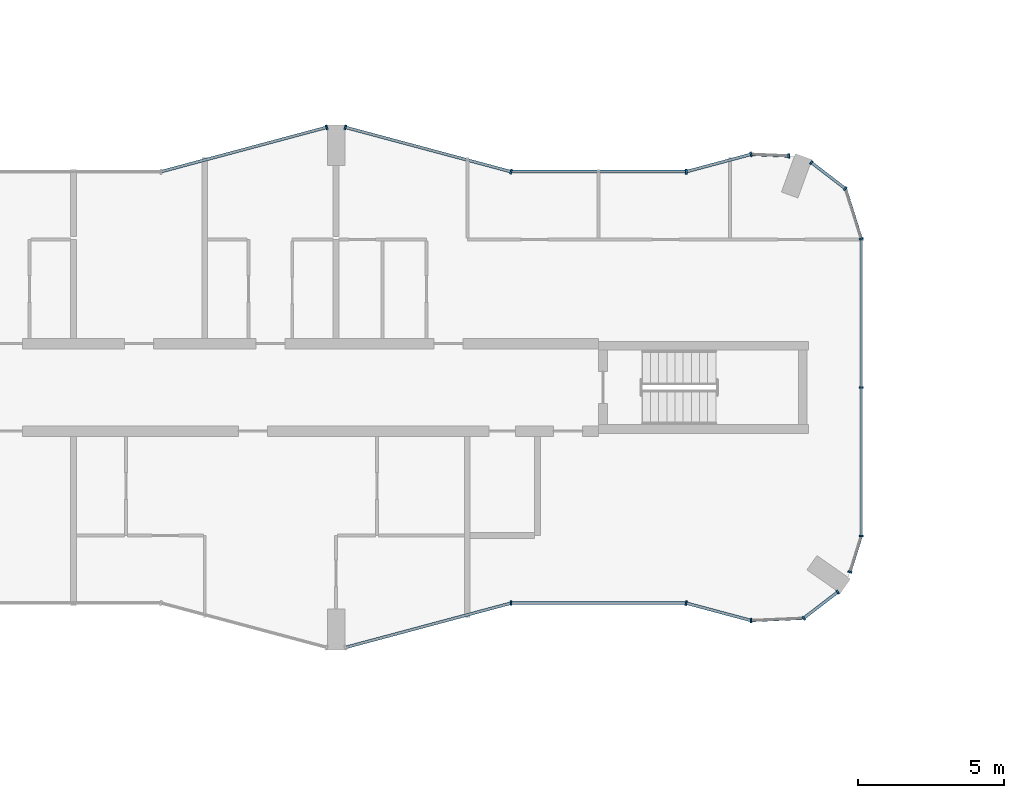
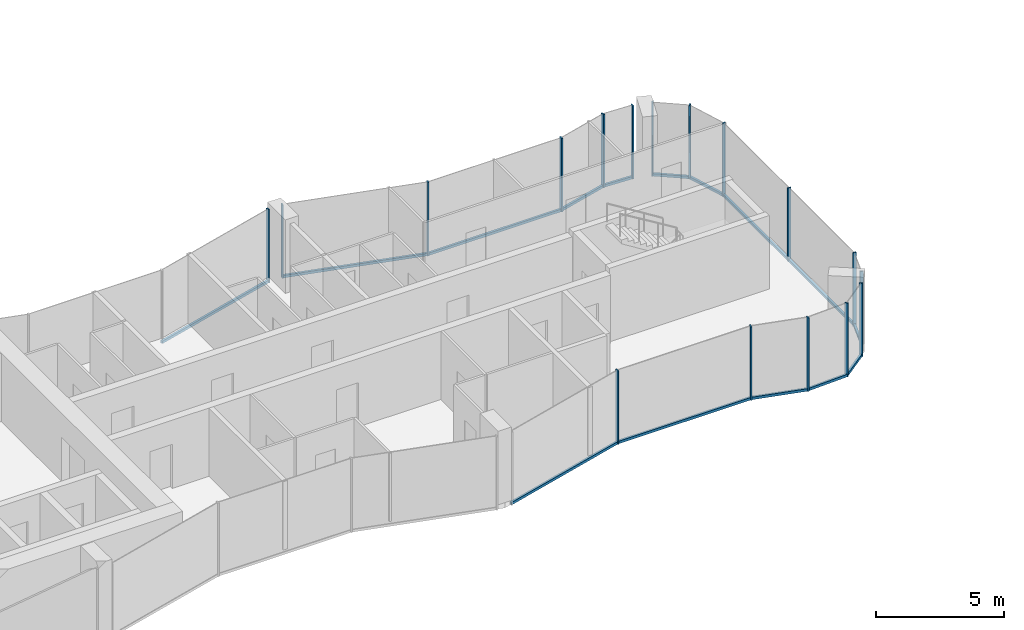
# One storey, part 5 of 24: 31 members, 14 elements without a shape of their own.
"""IFC4 building model written with IfcOpenShell, lengths in metres."""

import ifcopenshell
import ifcopenshell.guid

model = None  # the IFC model being written
_history = None  # IfcOwnerHistory: only IFC2X3 demands one
_inside = {}  # id of a spatial element -> (the spatial element, [elements in it])
_under = {}  # id of a project, library or spatial element -> (it, [spatial elements below it])
_declared = {}  # id of a project -> (the project, [libraries it declares])
_typed = {}  # id of a type object -> (the type object, [elements of that type])
_made_of = {}  # id of a material, layer set ... -> (it, [elements and type objects made of it])


def new_model(schema):
    """Start an empty IFC model of exactly this schema.

    Asked for "IFC4X3", IfcOpenShell would pick the latest addendum, in which some entities
    have other attributes; the version numbers below select the first issue.
    IFC2X3 requires an IfcOwnerHistory on every rooted entity: one is made here for all.
    """
    global model, _history
    if schema == "IFC4X3":
        model = ifcopenshell.file(schema_version=(4, 3, 0, 0))
    else:
        model = ifcopenshell.file(schema=schema)
    _inside.clear()
    _under.clear()
    _declared.clear()
    _typed.clear()
    _made_of.clear()
    _history = None
    if model.schema == "IFC2X3":
        org = make("IfcOrganization", Name="unknown")
        user = make(
            "IfcPersonAndOrganization",
            ThePerson=make("IfcPerson", FamilyName="unknown"),
            TheOrganization=org,
        )
        app = make(
            "IfcApplication",
            ApplicationDeveloper=org,
            Version="unknown",
            ApplicationFullName="unknown",
            ApplicationIdentifier="unknown",
        )
        _history = make(
            "IfcOwnerHistory",
            OwningUser=user,
            OwningApplication=app,
            ChangeAction="ADDED",
            CreationDate=0,
        )
    return model


def make(cls, **values):
    """One entity of the class cls with the attributes given. An attribute that is None is left unset."""
    return model.create_entity(
        cls, **{name: value for name, value in values.items() if value is not None}
    )


def rooted(cls, **values):
    """An entity with a GlobalId (a new one), such as an element, a storey or a relation."""
    return make(cls, GlobalId=ifcopenshell.guid.new(), OwnerHistory=_history, **values)


def si_unit(unit_type, name, prefix=None):
    """IfcSIUnit, for example si_unit("LENGTHUNIT", "METRE", prefix="MILLI")."""
    return make("IfcSIUnit", UnitType=unit_type, Prefix=prefix, Name=name)


def assignment(units):
    """IfcUnitAssignment: the units of a project."""
    return None if units is None else make("IfcUnitAssignment", Units=units)


def point(xyz):
    """IfcCartesianPoint."""
    return None if xyz is None else make("IfcCartesianPoint", Coordinates=xyz)


def direction(xyz):
    """IfcDirection."""
    return None if xyz is None else make("IfcDirection", DirectionRatios=xyz)


def frame(location, z_axis=None, x_axis=None):
    """IfcAxis2Placement3D, a coordinate frame: its origin and axes. An axis left out is left unset."""
    return make(
        "IfcAxis2Placement3D",
        Location=point(location),
        Axis=direction(z_axis),
        RefDirection=direction(x_axis),
    )


def frame_2d(location, x_axis=None):
    """IfcAxis2Placement2D, a coordinate frame in the plane: its origin and x axis."""
    return make(
        "IfcAxis2Placement2D", Location=point(location), RefDirection=direction(x_axis)
    )


def origin():
    """The frame at (0, 0, 0) with its axes left unset."""
    return frame((0.0, 0.0, 0.0))


def origin_2d():
    """The frame at (0, 0) in the plane with its x axis left unset."""
    return frame_2d((0.0, 0.0))


def place(relative_to, where):
    """IfcLocalPlacement: puts the frame where relative to a parent placement (None: the world)."""
    return make(
        "IfcLocalPlacement", PlacementRelTo=relative_to, RelativePlacement=where
    )


def context(
    kind, dimensions, precision=None, world=None, true_north=None, identifier=None
):
    """IfcGeometricRepresentationContext, for example the 3D "Model" context."""
    return make(
        "IfcGeometricRepresentationContext",
        ContextIdentifier=identifier,
        ContextType=kind,
        CoordinateSpaceDimension=dimensions,
        Precision=precision,
        WorldCoordinateSystem=world,
        TrueNorth=true_north,
    )


def subcontext(parent, identifier, kind, view, scale=None):
    """IfcGeometricRepresentationSubContext, for example "Body" below "Model"."""
    return make(
        "IfcGeometricRepresentationSubContext",
        ContextIdentifier=identifier,
        ContextType=kind,
        ParentContext=parent,
        TargetScale=scale,
        TargetView=view,
    )


def project(units=None, contexts=None):
    """IfcProject with its units and contexts."""
    return rooted(
        "IfcProject",
        Name="project",
        RepresentationContexts=contexts,
        UnitsInContext=assignment(units),
    )


def spatial(cls, under=None, at=None, **own):
    """A site, building, storey or space (cls), placed at a placement, below another one or the project."""
    s = rooted(cls, ObjectPlacement=at, **own)
    if under is not None:
        _under.setdefault(under.id(), (under, []))[1].append(s)
    return s


def profile(cls, at=None, kind="AREA", **sizes):
    """A parametric profile (cls). Its sizes go by their IFC names, for example OverallWidth=200.0."""
    return make(cls, ProfileType=kind, Position=at, **sizes)


def rectangle(**sizes):
    """IfcRectangleProfileDef."""
    return profile("IfcRectangleProfileDef", **sizes)


def extrude(swept, where, along, depth):
    """IfcExtrudedAreaSolid: the profile swept, set in the frame where, extruded along a direction by depth."""
    return make(
        "IfcExtrudedAreaSolid",
        SweptArea=swept,
        Position=where,
        ExtrudedDirection=direction(along),
        Depth=depth,
    )


def shape(context_of_items, identifier, shape_type, items):
    """IfcShapeRepresentation: the items that make up one representation, for example the "Body"."""
    return make(
        "IfcShapeRepresentation",
        ContextOfItems=context_of_items,
        RepresentationIdentifier=identifier,
        RepresentationType=shape_type,
        Items=items,
    )


def material(Name=None, Category=None):
    """IfcMaterial."""
    return make("IfcMaterial", Name=Name, Category=Category)


def layer(
    of_material, thickness, ventilated=None, Name=None, Category=None, Priority=None
):
    """IfcMaterialLayer: one layer of a wall or slab, of a material (None: an air gap)."""
    return make(
        "IfcMaterialLayer",
        Material=of_material,
        LayerThickness=thickness,
        IsVentilated=ventilated,
        Name=Name,
        Category=Category,
        Priority=Priority,
    )


def layer_set(layers, Name=None):
    """IfcMaterialLayerSet."""
    return make("IfcMaterialLayerSet", MaterialLayers=layers, LayerSetName=Name)


def material_profile(
    of_material, cross_section, Name=None, Category=None, Priority=None
):
    """IfcMaterialProfile: a cross section and its material."""
    return make(
        "IfcMaterialProfile",
        Name=Name,
        Material=of_material,
        Profile=cross_section,
        Priority=Priority,
        Category=Category,
    )


def profile_set(profiles, Name=None, composite=None):
    """IfcMaterialProfileSet."""
    return make(
        "IfcMaterialProfileSet",
        Name=Name,
        MaterialProfiles=profiles,
        CompositeProfile=composite,
    )


def made_of(thing, what):
    """Note that an element or type object is made of a material, layer set ...; save() writes the relation."""
    if what is not None:
        _made_of.setdefault(what.id(), (what, []))[1].append(thing)
    return thing


def type_object(cls, material=None, **own):
    """A type object (cls), such as IfcWallType, which elements share."""
    return made_of(rooted(cls, **own), material)


def element(
    cls,
    number,
    at=None,
    inside=None,
    cuts=None,
    type_object=None,
    material=None,
    context=None,
    identifier="Body",
    shape_type=None,
    held_by="IfcProductDefinitionShape",
    body=None,
    shapes=None,
    **own,
):
    """One element of the class cls, such as IfcWall. Its Tag is "e" and its number.

    at: its placement. inside: the storey or other place that contains it. cuts: it is an
    opening in that element (IfcRelVoidsElement). A single representation is given by context,
    identifier, shape_type and body (its items); several are given by shapes. held_by: the class
    of the entity that holds the representations. save() writes the other relations.
    """
    e = rooted(cls, Tag="e%d" % number, ObjectPlacement=at, **own)
    if body is not None:
        shapes = [shape(context, identifier, shape_type, body)]
    if shapes is not None:
        e.Representation = make(held_by, Representations=shapes)
    if inside is not None:
        _inside.setdefault(inside.id(), (inside, []))[1].append(e)
    if cuts is not None:
        rooted(
            "IfcRelVoidsElement", RelatingBuildingElement=cuts, RelatedOpeningElement=e
        )
    if type_object is not None:
        _typed.setdefault(type_object.id(), (type_object, []))[1].append(e)
    return made_of(e, material)


def aggregate(whole, parts):
    """IfcRelAggregates: a whole, such as a stair, and the parts it consists of."""
    return rooted("IfcRelAggregates", RelatingObject=whole, RelatedObjects=parts)


def save(model, path):
    """Write the relations noted so far, then the file.

    IfcRelAggregates (storeys below a building ...), IfcRelContainedInSpatialStructure (elements
    in a storey), IfcRelDefinesByType, IfcRelAssociatesMaterial and IfcRelDeclares: one each for
    every whole, place, type object, material and project.
    """
    for whole, parts in _under.values():
        aggregate(whole, parts)
    for where, things in _inside.values():
        rooted(
            "IfcRelContainedInSpatialStructure",
            RelatedElements=things,
            RelatingStructure=where,
        )
    for kind, things in _typed.values():
        rooted("IfcRelDefinesByType", RelatedObjects=things, RelatingType=kind)
    for what, things in _made_of.values():
        rooted("IfcRelAssociatesMaterial", RelatedObjects=things, RelatingMaterial=what)
    for by, libraries in _declared.values():
        rooted("IfcRelDeclares", RelatingContext=by, RelatedDefinitions=libraries)
    model.write(path)


model = new_model("IFC4")

# Units and contexts
model_context = context("Model", 3, precision=1e-05, world=origin(), true_north=direction((0.0, 1.0)))
body_context = subcontext(model_context, "Body", "Model", "MODEL_VIEW")
ifc_project = project(units=[si_unit("LENGTHUNIT", "METRE"), si_unit("AREAUNIT", "SQUARE_METRE"), si_unit("VOLUMEUNIT", "CUBIC_METRE"), si_unit("PLANEANGLEUNIT", "RADIAN"), si_unit("MASSUNIT", "GRAM", prefix="KILO")], contexts=[model_context])

# Site, building, storey
site_placement = place(None, origin())
site = spatial("IfcSite", under=ifc_project, at=site_placement, CompositionType="ELEMENT")
building_placement = place(site_placement, origin())
building = spatial("IfcBuilding", under=site, at=building_placement, Name="Plateau Cross Towers", CompositionType="ELEMENT")
storey_placement = place(building_placement, frame((0.0, 0.0, 51.300048828125)))
storey = spatial("IfcBuildingStorey", under=building, at=storey_placement, Name="L12", CompositionType="ELEMENT", Elevation=51.300048828125)

# Curtain wall, member
ifc_material_1 = material(Name="Dark low-iron glass", Category="glass")
ifc_layer_1 = layer(ifc_material_1, 0.239990234375)
ifc_layer_set_1 = layer_set([ifc_layer_1], Name="Dark low-iron glass")
curtain_wall_type_1 = type_object("IfcCurtainWallType", Name="Curtain wall flush unitised CW-B", PredefinedType="NOTDEFINED", material=ifc_layer_set_1)
curtain_wall_1_placement = place(storey_placement, origin())
curtain_wall_1 = element("IfcCurtainWall", 1, at=curtain_wall_1_placement, inside=storey, type_object=curtain_wall_type_1, Name="ENV/A/L12/A502_10", PredefinedType="NOTDEFINED")
ifc_material_2 = material(Name="Black anodised aluminium", Category="aluminium")
ifc_material_profile_1 = material_profile(ifc_material_2, rectangle(XDim=0.06005859375, YDim=0.139892578125, at=origin_2d()), Name="MULLION 60x140")
ifc_profile_set_1 = profile_set([ifc_material_profile_1], Name="Black anodised aluminium")
member_type_1 = type_object("IfcMemberType", Name="Mullion 60x140 flush unitised", PredefinedType="MULLION", material=ifc_profile_set_1)
member_1_placement = place(storey_placement, frame((50.223876953125, 1.01123046875, -0.25), z_axis=(0.0, 0.0, 1.0), x_axis=(0.999043701491, 0.043722791671, 0.0)))
member_1 = element("IfcMember", 2, at=member_1_placement, type_object=member_type_1, Name="CW-B mullion 1", PredefinedType="MULLION", context=body_context, shape_type="SweptSolid", body=[
    extrude(rectangle(XDim=0.06005859375, YDim=0.139892578125, at=origin_2d()), origin(), (0.0, 0.0, 1.0), 3.5),
])

# Curtain wall, members
curtain_wall_2_placement = place(storey_placement, origin())
curtain_wall_2 = element("IfcCurtainWall", 3, at=curtain_wall_2_placement, inside=storey, type_object=curtain_wall_type_1, Name="ENV/A/L12/A520_11", PredefinedType="NOTDEFINED")
member_2_placement = place(storey_placement, frame((52.0263671875, 1.090087890625, -0.25), z_axis=(0.0, 0.0, 1.0), x_axis=(0.793315514529, 0.608810721331, 0.0)))
member_2 = element("IfcMember", 4, at=member_2_placement, type_object=member_type_1, Name="CW-B mullion 1", PredefinedType="MULLION", context=body_context, shape_type="SweptSolid", body=[
    extrude(rectangle(XDim=0.06005859375, YDim=0.139892578125, at=origin_2d()), origin(), (0.0, 0.0, 1.0), 3.5),
])
member_3_placement = place(storey_placement, frame((53.193603515625, 1.986083984375, -0.25), z_axis=(0.0, 0.0, 1.0), x_axis=(0.793315514529, 0.608810721331, 0.0)))
member_3 = element("IfcMember", 5, at=member_3_placement, type_object=member_type_1, Name="CW-B mullion 2", PredefinedType="MULLION", context=body_context, shape_type="SweptSolid", body=[
    extrude(rectangle(XDim=0.06005859375, YDim=0.139892578125, at=origin_2d()), origin(), (0.0, 0.0, 1.0), 3.5),
])

# Curtain wall, member
curtain_wall_3_placement = place(storey_placement, origin())
curtain_wall_3 = element("IfcCurtainWall", 6, at=curtain_wall_3_placement, inside=storey, type_object=curtain_wall_type_1, Name="ENV/A/L12/A536_27", PredefinedType="NOTDEFINED")
member_4_placement = place(storey_placement, frame((53.611083984375, 2.67529296875, -0.25), z_axis=(0.0, 0.0, 1.0), x_axis=(0.300686174994, 0.95372313811, 0.0)))
member_4 = element("IfcMember", 7, at=member_4_placement, type_object=member_type_1, Name="CW-B mullion 1", PredefinedType="MULLION", context=body_context, shape_type="SweptSolid", body=[
    extrude(rectangle(XDim=0.06005859375, YDim=0.139892578125, at=origin_2d()), origin(), (0.0, 0.0, 1.0), 3.5),
])

# Curtain wall, members
curtain_wall_4_placement = place(storey_placement, origin())
curtain_wall_4 = element("IfcCurtainWall", 8, at=curtain_wall_4_placement, inside=storey, type_object=curtain_wall_type_1, Name="ENV/A/L12/A540_39", PredefinedType="NOTDEFINED")
member_5_placement = place(storey_placement, frame((54.0, 3.9091796875, -0.25), z_axis=(0.0, 0.0, 1.0), x_axis=(0.0, 1.0, 0.0)))
member_5 = element("IfcMember", 9, at=member_5_placement, type_object=member_type_1, Name="CW-B mullion 1", PredefinedType="MULLION", context=body_context, shape_type="SweptSolid", body=[
    extrude(rectangle(XDim=0.06005859375, YDim=0.139892578125, at=origin_2d()), origin(), (0.0, 0.0, 1.0), 3.5),
])
member_6_placement = place(storey_placement, frame((54.0, 9.0, -0.25), z_axis=(0.0, 0.0, 1.0), x_axis=(0.0, 1.0, 0.0)))
member_6 = element("IfcMember", 10, at=member_6_placement, type_object=member_type_1, Name="CW-B mullion 2", PredefinedType="MULLION", context=body_context, shape_type="SweptSolid", body=[
    extrude(rectangle(XDim=0.06005859375, YDim=0.139892578125, at=origin_2d()), origin(), (0.0, 0.0, 1.0), 3.5),
])

# Curtain wall, member
curtain_wall_5_placement = place(storey_placement, origin())
curtain_wall_5 = element("IfcCurtainWall", 11, at=curtain_wall_5_placement, inside=storey, type_object=curtain_wall_type_1, Name="ENV/A/L12/A540_141", PredefinedType="NOTDEFINED")
member_7_placement = place(storey_placement, frame((54.0, 14.0908203125, -0.25), z_axis=(0.0, 0.0, 1.0), x_axis=(-0.300686174994, 0.95372313811, 0.0)))
member_7 = element("IfcMember", 12, at=member_7_placement, type_object=member_type_1, Name="CW-B mullion 1", PredefinedType="MULLION", context=body_context, shape_type="SweptSolid", body=[
    extrude(rectangle(XDim=0.06005859375, YDim=0.139892578125, at=origin_2d()), origin(), (0.0, 0.0, 1.0), 3.5),
])

# Curtain wall, members
curtain_wall_6_placement = place(storey_placement, origin())
curtain_wall_6 = element("IfcCurtainWall", 13, at=curtain_wall_6_placement, inside=storey, type_object=curtain_wall_type_1, Name="ENV/A/L12/A535_158", PredefinedType="NOTDEFINED")
member_8_placement = place(storey_placement, frame((53.45751953125, 15.8115234375, -0.25), z_axis=(0.0, 0.0, 1.0), x_axis=(-0.793315514529, 0.608810721331, 0.0)))
member_8 = element("IfcMember", 14, at=member_8_placement, type_object=member_type_1, Name="CW-B mullion 1", PredefinedType="MULLION", context=body_context, shape_type="SweptSolid", body=[
    extrude(rectangle(XDim=0.06005859375, YDim=0.139892578125, at=origin_2d()), origin(), (0.0, 0.0, 1.0), 3.5),
])
member_9_placement = place(storey_placement, frame((52.290283203125, 16.707275390625, -0.25), z_axis=(0.0, 0.0, 1.0), x_axis=(-0.793315514529, 0.608810721331, 0.0)))
member_9 = element("IfcMember", 15, at=member_9_placement, type_object=member_type_1, Name="CW-B mullion 2", PredefinedType="MULLION", context=body_context, shape_type="SweptSolid", body=[
    extrude(rectangle(XDim=0.06005859375, YDim=0.139892578125, at=origin_2d()), origin(), (0.0, 0.0, 1.0), 3.5),
])

# Curtain wall, member
curtain_wall_7_placement = place(storey_placement, origin())
curtain_wall_7 = element("IfcCurtainWall", 16, at=curtain_wall_7_placement, inside=storey, type_object=curtain_wall_type_1, Name="ENV/A/L12/A515_169", PredefinedType="NOTDEFINED")
member_10_placement = place(storey_placement, frame((51.516357421875, 16.93212890625, -0.25), z_axis=(0.0, 0.0, 1.0), x_axis=(-0.999043701491, 0.043722791671, 0.0)))
member_10 = element("IfcMember", 17, at=member_10_placement, type_object=member_type_1, Name="CW-B mullion 1", PredefinedType="MULLION", context=body_context, shape_type="SweptSolid", body=[
    extrude(rectangle(XDim=0.06005859375, YDim=0.139892578125, at=origin_2d()), origin(), (0.0, 0.0, 1.0), 3.5),
])

ifc_layer_2 = layer(ifc_material_1, 0.260009765625)
ifc_layer_set_2 = layer_set([ifc_layer_2], Name="Dark low-iron glass")
curtain_wall_type_2 = type_object("IfcCurtainWallType", Name="Curtain wall fluted unitised CW-A", PredefinedType="NOTDEFINED", material=ifc_layer_set_2)
curtain_wall_8_placement = place(storey_placement, origin())
curtain_wall_8 = element("IfcCurtainWall", 18, at=curtain_wall_8_placement, inside=storey, type_object=curtain_wall_type_2, Name="ENV/A/L12/A420_16", PredefinedType="NOTDEFINED")
ifc_material_profile_2 = material_profile(ifc_material_2, rectangle(XDim=0.06005859375, YDim=0.159912109375, at=origin_2d()), Name="MULLION 60x160")
ifc_profile_set_2 = profile_set([ifc_material_profile_2], Name="Black anodised aluminium")
member_type_2 = type_object("IfcMemberType", Name="Mullion 60x160 fluted unitised", PredefinedType="MULLION", material=ifc_profile_set_2)
member_11_placement = place(storey_placement, frame((42.0, 1.60693359375, -0.25), z_axis=(0.0, 0.0, 1.0), x_axis=(1.0, 0.0, 0.0)))
member_11 = element("IfcMember", 19, at=member_11_placement, type_object=member_type_2, Name="CW-A mullion 1", PredefinedType="MULLION", context=body_context, shape_type="SweptSolid", body=[
    extrude(rectangle(XDim=0.06005859375, YDim=0.159912109375, at=origin_2d()), origin(), (0.0, 0.0, 1.0), 3.5),
])

curtain_wall_9_placement = place(storey_placement, origin())
curtain_wall_9 = element("IfcCurtainWall", 20, at=curtain_wall_9_placement, inside=storey, type_object=curtain_wall_type_2, Name="ENV/A/L12/A480_16", PredefinedType="NOTDEFINED")
member_12_placement = place(storey_placement, frame((48.0, 1.60693359375, -0.25), z_axis=(0.0, 0.0, 1.0), x_axis=(0.965957962328, -0.258699081978, 0.0)))
member_12 = element("IfcMember", 21, at=member_12_placement, type_object=member_type_2, Name="CW-A mullion 1", PredefinedType="MULLION", context=body_context, shape_type="SweptSolid", body=[
    extrude(rectangle(XDim=0.06005859375, YDim=0.159912109375, at=origin_2d()), origin(), (0.0, 0.0, 1.0), 3.5),
])

curtain_wall_10_placement = place(storey_placement, origin())
curtain_wall_10 = element("IfcCurtainWall", 22, at=curtain_wall_10_placement, inside=storey, type_object=curtain_wall_type_2, Name="ENV/A/L12/A502_170", PredefinedType="NOTDEFINED")
member_13_placement = place(storey_placement, frame((50.223876953125, 16.98876953125, -0.25), z_axis=(0.0, 0.0, 1.0), x_axis=(-0.965957962328, -0.258699081978, 0.0)))
member_13 = element("IfcMember", 23, at=member_13_placement, type_object=member_type_2, Name="CW-A mullion 1", PredefinedType="MULLION", context=body_context, shape_type="SweptSolid", body=[
    extrude(rectangle(XDim=0.06005859375, YDim=0.159912109375, at=origin_2d()), origin(), (0.0, 0.0, 1.0), 3.5),
])

curtain_wall_11_placement = place(storey_placement, origin())
curtain_wall_11 = element("IfcCurtainWall", 24, at=curtain_wall_11_placement, inside=storey, type_object=curtain_wall_type_2, Name="ENV/A/L12/A480_164", PredefinedType="NOTDEFINED")
member_14_placement = place(storey_placement, frame((48.0, 16.39306640625, -0.25), z_axis=(0.0, 0.0, 1.0), x_axis=(-1.0, 0.0, 0.0)))
member_14 = element("IfcMember", 25, at=member_14_placement, type_object=member_type_2, Name="CW-A mullion 1", PredefinedType="MULLION", context=body_context, shape_type="SweptSolid", body=[
    extrude(rectangle(XDim=0.06005859375, YDim=0.159912109375, at=origin_2d()), origin(), (0.0, 0.0, 1.0), 3.5),
])

# Curtain wall, members
curtain_wall_12_placement = place(storey_placement, origin())
curtain_wall_12 = element("IfcCurtainWall", 26, at=curtain_wall_12_placement, inside=storey, type_object=curtain_wall_type_2, Name="ENV/A/L12/A420_164", PredefinedType="NOTDEFINED")
member_15_placement = place(storey_placement, frame((42.0, 16.39306640625, -0.25), z_axis=(0.0, 0.0, 1.0), x_axis=(-0.965957983404, 0.258699003279, 0.0)))
member_15 = element("IfcMember", 27, at=member_15_placement, type_object=member_type_2, Name="CW-A mullion 1", PredefinedType="MULLION", context=body_context, shape_type="SweptSolid", body=[
    extrude(rectangle(XDim=0.06005859375, YDim=0.159912109375, at=origin_2d()), origin(), (0.0, 0.0, 1.0), 3.5),
])
member_16_placement = place(storey_placement, frame((36.31787109375, 17.914794921875, -0.25), z_axis=(0.0, 0.0, 1.0), x_axis=(-0.965957983404, 0.258699003279, 0.0)))
member_16 = element("IfcMember", 28, at=member_16_placement, type_object=member_type_2, Name="CW-A mullion 2", PredefinedType="MULLION", context=body_context, shape_type="SweptSolid", body=[
    extrude(rectangle(XDim=0.06005859375, YDim=0.159912109375, at=origin_2d()), origin(), (0.0, 0.0, 1.0), 3.5),
])

# Curtain wall, member
curtain_wall_13_placement = place(storey_placement, origin())
curtain_wall_13 = element("IfcCurtainWall", 29, at=curtain_wall_13_placement, inside=storey, type_object=curtain_wall_type_2, Name="ENV/A/L12/A357_179", PredefinedType="NOTDEFINED")
member_17_placement = place(storey_placement, frame((35.68212890625, 17.914794921875, -0.25), z_axis=(0.0, 0.0, 1.0), x_axis=(-0.965957983404, -0.258699003279, 0.0)))
member_17 = element("IfcMember", 30, at=member_17_placement, type_object=member_type_2, Name="CW-A mullion 1", PredefinedType="MULLION", context=body_context, shape_type="SweptSolid", body=[
    extrude(rectangle(XDim=0.06005859375, YDim=0.159912109375, at=origin_2d()), origin(), (0.0, 0.0, 1.0), 3.5),
])

# Member
ifc_material_profile_3 = material_profile(ifc_material_2, rectangle(XDim=0.10009765625, YDim=0.1201171875, at=origin_2d()), Name="TRANSOM 100x120")
ifc_profile_set_3 = profile_set([ifc_material_profile_3], Name="Black anodised aluminium")
member_type_3 = type_object("IfcMemberType", Name="Transom 100x120 flush unitised", PredefinedType="USERDEFINED", material=ifc_profile_set_3)
member_18_placement = place(storey_placement, frame((50.223876953125, 1.01123046875, -0.18994140625), z_axis=(0.999044377355, 0.043707345779, 0.0), x_axis=(-0.043707345779, 0.999044377355, 0.0)))
member_18 = element("IfcMember", 31, at=member_18_placement, type_object=member_type_3, Name="CW-B transom", ObjectType="TRANSOM", PredefinedType="USERDEFINED", context=body_context, shape_type="SweptSolid", body=[
    extrude(rectangle(XDim=0.10009765625, YDim=0.1201171875, at=origin_2d()), origin(), (0.0, 0.0, 1.0), 1.80419921875),
])

aggregate(curtain_wall_1, [member_1, member_18])

member_19_placement = place(storey_placement, frame((52.0263671875, 1.090087890625, -0.18994140625), z_axis=(0.793240368515, 0.608908628415, 0.0), x_axis=(-0.608908628415, 0.793240368515, 0.0)))
member_19 = element("IfcMember", 32, at=member_19_placement, type_object=member_type_3, Name="CW-B transom", ObjectType="TRANSOM", PredefinedType="USERDEFINED", context=body_context, shape_type="SweptSolid", body=[
    extrude(rectangle(XDim=0.10009765625, YDim=0.1201171875, at=origin_2d()), origin(), (0.0, 0.0, 1.0), 1.471435546875),
])

aggregate(curtain_wall_2, [member_2, member_3, member_19])

member_20_placement = place(storey_placement, frame((53.611083984375, 2.67529296875, -0.18994140625), z_axis=(0.300616528216, 0.953745093284, 0.0), x_axis=(-0.953745093284, 0.300616528216, 0.0)))
member_20 = element("IfcMember", 33, at=member_20_placement, type_object=member_type_3, Name="CW-B transom", ObjectType="TRANSOM", PredefinedType="USERDEFINED", context=body_context, shape_type="SweptSolid", body=[
    extrude(rectangle(XDim=0.10009765625, YDim=0.1201171875, at=origin_2d()), origin(), (0.0, 0.0, 1.0), 1.293701171875),
])

aggregate(curtain_wall_3, [member_4, member_20])

member_21_placement = place(storey_placement, frame((54.0, 3.9091796875, -0.18994140625), z_axis=(0.0, 1.0, 0.0), x_axis=(-1.0, 0.0, 0.0)))
member_21 = element("IfcMember", 34, at=member_21_placement, type_object=member_type_3, Name="CW-B transom", ObjectType="TRANSOM", PredefinedType="USERDEFINED", context=body_context, shape_type="SweptSolid", body=[
    extrude(rectangle(XDim=0.10009765625, YDim=0.1201171875, at=origin_2d()), origin(), (0.0, 0.0, 1.0), 10.181640625),
])

aggregate(curtain_wall_4, [member_5, member_6, member_21])

member_22_placement = place(storey_placement, frame((54.0, 14.0908203125, -0.18994140625), z_axis=(-0.30067799945, 0.953725715626, 0.0), x_axis=(-0.953725715626, -0.30067799945, 0.0)))
member_22 = element("IfcMember", 35, at=member_22_placement, type_object=member_type_3, Name="CW-B transom", ObjectType="TRANSOM", PredefinedType="USERDEFINED", context=body_context, shape_type="SweptSolid", body=[
    extrude(rectangle(XDim=0.10009765625, YDim=0.1201171875, at=origin_2d()), origin(), (0.0, 0.0, 1.0), 1.80419921875),
])

aggregate(curtain_wall_5, [member_7, member_22])

member_23_placement = place(storey_placement, frame((53.45751953125, 15.8115234375, -0.18994140625), z_axis=(-0.793320508571, 0.608804213751, 0.0), x_axis=(-0.608804213751, -0.793320508571, 0.0)))
member_23 = element("IfcMember", 36, at=member_23_placement, type_object=member_type_3, Name="CW-B transom", ObjectType="TRANSOM", PredefinedType="USERDEFINED", context=body_context, shape_type="SweptSolid", body=[
    extrude(rectangle(XDim=0.10009765625, YDim=0.1201171875, at=origin_2d()), origin(), (0.0, 0.0, 1.0), 1.471435546875),
])

aggregate(curtain_wall_6, [member_8, member_9, member_23])

member_24_placement = place(storey_placement, frame((51.516357421875, 16.93212890625, -0.18994140625), z_axis=(-0.999041144614, 0.043781175963, 0.0), x_axis=(-0.043781175963, -0.999041144614, 0.0)))
member_24 = element("IfcMember", 37, at=member_24_placement, type_object=member_type_3, Name="CW-B transom", ObjectType="TRANSOM", PredefinedType="USERDEFINED", context=body_context, shape_type="SweptSolid", body=[
    extrude(rectangle(XDim=0.10009765625, YDim=0.1201171875, at=origin_2d()), origin(), (0.0, 0.0, 1.0), 1.293701171875),
])

aggregate(curtain_wall_7, [member_10, member_24])

# Curtain wall, member
curtain_wall_14_placement = place(storey_placement, origin())
curtain_wall_14 = element("IfcCurtainWall", 38, at=curtain_wall_14_placement, inside=storey, type_object=curtain_wall_type_2, Name="ENV/A/L12/A363_1", PredefinedType="NOTDEFINED")
ifc_material_profile_4 = material_profile(ifc_material_2, rectangle(XDim=0.10009765625, YDim=0.1201171875, at=origin_2d()), Name="TRANSOM 100x120")
ifc_profile_set_4 = profile_set([ifc_material_profile_4], Name="Black anodised aluminium")
member_type_4 = type_object("IfcMemberType", Name="Transom 100x120 fluted unitised", PredefinedType="USERDEFINED", material=ifc_profile_set_4)
member_25_placement = place(storey_placement, frame((36.31787109375, 0.085205078125, -0.18994140625), z_axis=(0.965959534794, 0.258693210465, 0.0), x_axis=(-0.258693210465, 0.965959534794, 0.0)))
member_25 = element("IfcMember", 39, at=member_25_placement, type_object=member_type_4, Name="CW-A transom", ObjectType="TRANSOM", PredefinedType="USERDEFINED", context=body_context, shape_type="SweptSolid", body=[
    extrude(rectangle(XDim=0.10009765625, YDim=0.1201171875, at=origin_2d()), origin(), (0.0, 0.0, 1.0), 5.88232421875),
])
aggregate(curtain_wall_14, [member_25])

# Member
member_26_placement = place(storey_placement, frame((42.0, 1.60693359375, -0.18994140625), z_axis=(1.0, 0.0, 0.0), x_axis=(0.0, 1.0, 0.0)))
member_26 = element("IfcMember", 40, at=member_26_placement, type_object=member_type_4, Name="CW-A transom", ObjectType="TRANSOM", PredefinedType="USERDEFINED", context=body_context, shape_type="SweptSolid", body=[
    extrude(rectangle(XDim=0.10009765625, YDim=0.1201171875, at=origin_2d()), origin(), (0.0, 0.0, 1.0), 6.0),
])

aggregate(curtain_wall_8, [member_11, member_26])

member_27_placement = place(storey_placement, frame((48.0, 1.60693359375, -0.18994140625), z_axis=(0.965945685136, -0.258744919501, 0.0), x_axis=(0.258744919501, 0.965945685136, 0.0)))
member_27 = element("IfcMember", 41, at=member_27_placement, type_object=member_type_4, Name="CW-A transom", ObjectType="TRANSOM", PredefinedType="USERDEFINED", context=body_context, shape_type="SweptSolid", body=[
    extrude(rectangle(XDim=0.10009765625, YDim=0.1201171875, at=origin_2d()), origin(), (0.0, 0.0, 1.0), 2.30224609375),
])

aggregate(curtain_wall_9, [member_12, member_27])

member_28_placement = place(storey_placement, frame((50.223876953125, 16.98876953125, -0.18994140625), z_axis=(-0.965945685136, -0.258744919501, 0.0), x_axis=(0.258744919501, -0.965945685136, 0.0)))
member_28 = element("IfcMember", 42, at=member_28_placement, type_object=member_type_4, Name="CW-A transom", ObjectType="TRANSOM", PredefinedType="USERDEFINED", context=body_context, shape_type="SweptSolid", body=[
    extrude(rectangle(XDim=0.10009765625, YDim=0.1201171875, at=origin_2d()), origin(), (0.0, 0.0, 1.0), 2.30224609375),
])

aggregate(curtain_wall_10, [member_13, member_28])

member_29_placement = place(storey_placement, frame((48.0, 16.39306640625, -0.18994140625), z_axis=(-1.0, 0.0, 0.0), x_axis=(0.0, -1.0, 0.0)))
member_29 = element("IfcMember", 43, at=member_29_placement, type_object=member_type_4, Name="CW-A transom", ObjectType="TRANSOM", PredefinedType="USERDEFINED", context=body_context, shape_type="SweptSolid", body=[
    extrude(rectangle(XDim=0.10009765625, YDim=0.1201171875, at=origin_2d()), origin(), (0.0, 0.0, 1.0), 6.0),
])

aggregate(curtain_wall_11, [member_14, member_29])

member_30_placement = place(storey_placement, frame((42.0, 16.39306640625, -0.18994140625), z_axis=(-0.965959534794, 0.258693210465, 0.0), x_axis=(-0.258693210465, -0.965959534794, 0.0)))
member_30 = element("IfcMember", 44, at=member_30_placement, type_object=member_type_4, Name="CW-A transom", ObjectType="TRANSOM", PredefinedType="USERDEFINED", context=body_context, shape_type="SweptSolid", body=[
    extrude(rectangle(XDim=0.10009765625, YDim=0.1201171875, at=origin_2d()), origin(), (0.0, 0.0, 1.0), 5.88232421875),
])

aggregate(curtain_wall_12, [member_15, member_16, member_30])

member_31_placement = place(storey_placement, frame((35.68212890625, 17.914794921875, -0.18994140625), z_axis=(-0.965959534794, -0.258693210465, 0.0), x_axis=(0.258693210465, -0.965959534794, 0.0)))
member_31 = element("IfcMember", 45, at=member_31_placement, type_object=member_type_4, Name="CW-A transom", ObjectType="TRANSOM", PredefinedType="USERDEFINED", context=body_context, shape_type="SweptSolid", body=[
    extrude(rectangle(XDim=0.10009765625, YDim=0.1201171875, at=origin_2d()), origin(), (0.0, 0.0, 1.0), 5.88232421875),
])

aggregate(curtain_wall_13, [member_17, member_31])

save(model, "model.ifc")
